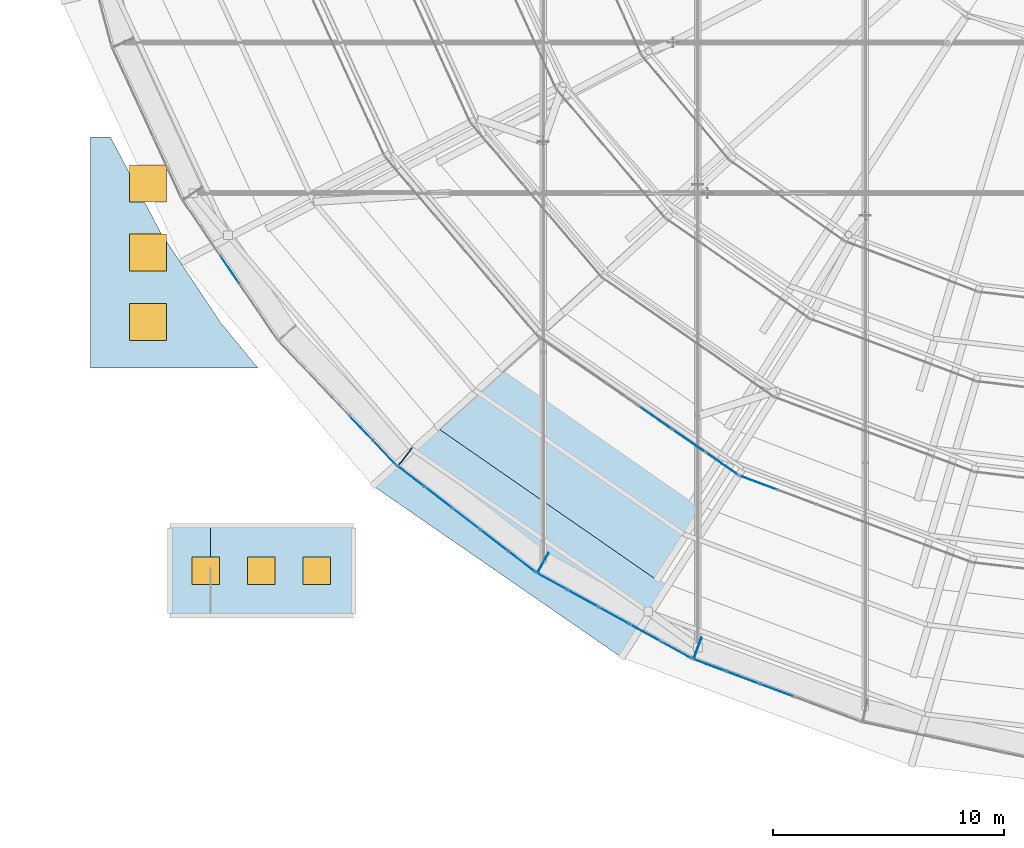
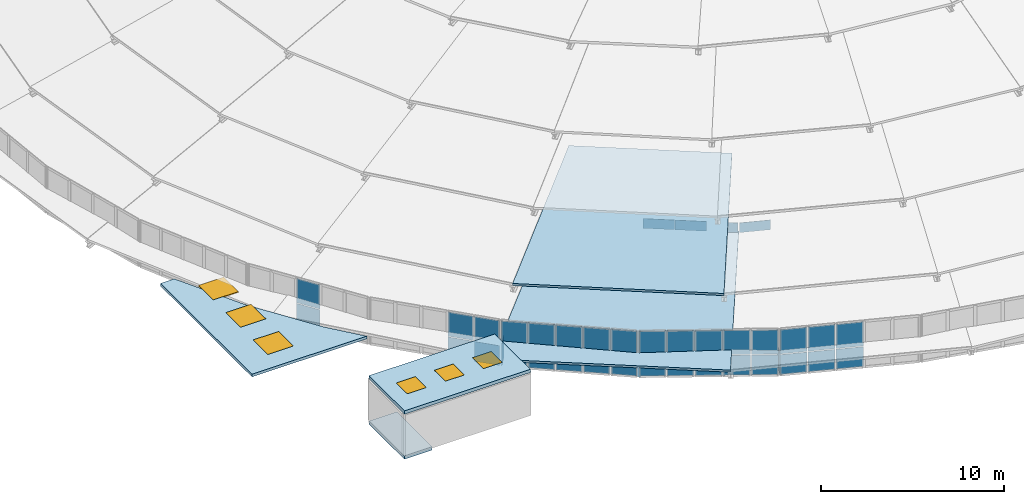
"""IFC4 building model written with IfcOpenShell, lengths in metres."""

from ifc_helpers import new_model, si_unit, direction, frame, origin, origin_2d, place, context, subcontext, project, spatial, polyline, rectangle, outline, extrude, material, layer, layer_set, type_object, element, fill, aggregate, save


model = new_model("IFC4")

# Units and contexts
model_context = context("Model", 3, precision=1e-05, world=origin(), true_north=direction((0.0, 1.0)))
body_context = subcontext(model_context, "Body", "Model", "MODEL_VIEW")
ifc_project = project(units=[si_unit("LENGTHUNIT", "METRE"), si_unit("AREAUNIT", "SQUARE_METRE"), si_unit("VOLUMEUNIT", "CUBIC_METRE"), si_unit("PLANEANGLEUNIT", "RADIAN"), si_unit("MASSUNIT", "GRAM", prefix="KILO")], contexts=[model_context])

# Site, building, storey
site_placement = place(None, origin())
site = spatial("IfcSite", under=ifc_project, at=site_placement, CompositionType="ELEMENT")
building_placement = place(site_placement, origin())
building = spatial("IfcBuilding", under=site, at=building_placement, Name="Glasvene Arena", CompositionType="ELEMENT")
storey_1_placement = place(building_placement, frame((0.0, 0.0, 28.800048828125)))
storey_1 = spatial("IfcBuildingStorey", under=building, at=storey_1_placement, Name="RF", CompositionType="ELEMENT", Elevation=28.800048828125)

# Curtain wall, plates
ifc_material_1 = material(Name="Low-emissivity laminated double glazing", Category="glass")
curtain_wall_type_1 = type_object("IfcCurtainWallType", Name="CW-PET1-1054x75", PredefinedType="USERDEFINED", material=ifc_material_1)
curtain_wall_1_placement = place(storey_1_placement, frame((62.40771484375, 46.342041015625, 0.0)))
curtain_wall_1 = element("IfcCurtainWall", 1, at=curtain_wall_1_placement, inside=storey_1, type_object=curtain_wall_type_1, Name="Petal ring 1-2 clerestory curtain wall 16", ObjectType="CURTAIN WALL", PredefinedType="USERDEFINED")
ifc_layer_1 = layer(ifc_material_1, 0.028076171875)
ifc_layer_set_1 = layer_set([ifc_layer_1], Name="Low-emissivity laminated double glazing")
plate_type_1 = type_object("IfcPlateType", Name="CW-GLZ-28", PredefinedType="CURTAIN_PANEL", material=ifc_layer_set_1)
plate_1_placement = place(storey_1_placement, frame((67.463623046875, 42.84716796875, 2.6298828125), z_axis=(0.0, 0.0, 1.0), x_axis=(0.822600954666, -0.568619089886, 0.0)))
plate_1 = element("IfcPlate", 2, at=plate_1_placement, type_object=plate_type_1, Name="CW-084 panel 4.1", PredefinedType="CURTAIN_PANEL", context=body_context, shape_type="SweptSolid", body=[
    extrude(rectangle(XDim=1.7060546875, YDim=0.028076171875, at=origin_2d()), origin(), (0.0, 0.0, 1.0), 0.64990234375),
])
plate_2_placement = place(storey_1_placement, frame((68.908203125, 41.8486328125, 2.6298828125), z_axis=(0.0, 0.0, 1.0), x_axis=(0.822600954666, -0.568619089886, 0.0)))
plate_2 = element("IfcPlate", 3, at=plate_2_placement, type_object=plate_type_1, Name="CW-084 panel 5.1", PredefinedType="CURTAIN_PANEL", context=body_context, shape_type="SweptSolid", body=[
    extrude(rectangle(XDim=1.7060546875, YDim=0.028076171875, at=origin_2d()), origin(), (0.0, 0.0, 1.0), 0.64990234375),
])
plate_3_placement = place(storey_1_placement, frame((70.342529296875, 40.857177734375, 2.6298828125), z_axis=(0.0, 0.0, 1.0), x_axis=(0.822600954666, -0.568619089886, 0.0)))
plate_3 = element("IfcPlate", 4, at=plate_3_placement, type_object=plate_type_1, Name="CW-084 panel 6.1", PredefinedType="CURTAIN_PANEL", context=body_context, shape_type="SweptSolid", body=[
    extrude(rectangle(XDim=1.68115234375, YDim=0.028076171875, at=origin_2d()), origin(), (0.0, 0.0, 1.0), 0.64990234375),
])
aggregate(curtain_wall_1, [plate_1, plate_2, plate_3])

# Curtain wall, plate
curtain_wall_type_2 = type_object("IfcCurtainWallType", Name="CW-PET1-1077x75", PredefinedType="USERDEFINED", material=ifc_material_1)
curtain_wall_2_placement = place(storey_1_placement, frame((71.074951171875, 40.350830078125, 0.0)))
curtain_wall_2 = element("IfcCurtainWall", 5, at=curtain_wall_2_placement, inside=storey_1, type_object=curtain_wall_type_2, Name="Petal ring 1-2 clerestory curtain wall 17", ObjectType="CURTAIN WALL", PredefinedType="USERDEFINED")
plate_4_placement = place(storey_1_placement, frame((71.927734375, 40.032470703125, 2.6298828125), z_axis=(0.0, 0.0, 1.0), x_axis=(0.936902411354, -0.349591006176, 0.0)))
plate_4 = element("IfcPlate", 6, at=plate_4_placement, type_object=plate_type_1, Name="CW-085 panel 1.1", PredefinedType="CURTAIN_PANEL", context=body_context, shape_type="SweptSolid", body=[
    extrude(rectangle(XDim=1.720458984375, YDim=0.028076171875, at=origin_2d()), origin(), (0.0, 0.0, 1.0), 0.64990234375),
])
aggregate(curtain_wall_2, [plate_4])

# Curtain wall, plates
curtain_wall_type_3 = type_object("IfcCurtainWallType", Name="CW-DRUM-737x310", PredefinedType="USERDEFINED", material=ifc_material_1)
curtain_wall_3_placement = place(storey_1_placement, frame((46.959716796875, 52.32080078125, 0.0)))
curtain_wall_3 = element("IfcCurtainWall", 7, at=curtain_wall_3_placement, inside=storey_1, type_object=curtain_wall_type_3, Name="Crown compression-ring fascia curtain wall 24", ObjectType="CURTAIN WALL", PredefinedType="USERDEFINED")
ifc_material_2 = material(Name="Insulated shadow-box spandrel panel")
ifc_layer_2 = layer(ifc_material_2, 0.02392578125)
ifc_layer_set_2 = layer_set([ifc_layer_2], Name="Insulated shadow-box spandrel panel")
plate_type_2 = type_object("IfcPlateType", Name="CW-SPN-24", PredefinedType="CURTAIN_PANEL", material=ifc_layer_set_2)
plate_5_placement = place(storey_1_placement, frame((49.031982421875, 49.2734375, -1.330078125), z_axis=(0.0, 0.0, 1.0), x_axis=(0.56235418457, -0.826896469394, 0.0)))
plate_5 = element("IfcPlate", 8, at=plate_5_placement, type_object=plate_type_2, Name="CW-074 panel 3.1", PredefinedType="CURTAIN_PANEL", context=body_context, shape_type="SweptSolid", body=[
    extrude(rectangle(XDim=1.424072265625, YDim=0.02392578125, at=origin_2d()), origin(), (0.0, 0.0, 1.0), 1.324951171875),
])
plate_6_placement = place(storey_1_placement, frame((49.031982421875, 49.2734375, 0.044921875), z_axis=(0.0, 0.0, 1.0), x_axis=(0.56235418457, -0.826896469394, 0.0)))
plate_6 = element("IfcPlate", 9, at=plate_6_placement, type_object=plate_type_2, Name="CW-074 panel 3.2", PredefinedType="CURTAIN_PANEL", context=body_context, shape_type="SweptSolid", body=[
    extrude(rectangle(XDim=1.424072265625, YDim=0.02392578125, at=origin_2d()), origin(), (0.0, 0.0, 1.0), 1.625),
])
aggregate(curtain_wall_3, [plate_5, plate_6])

curtain_wall_type_4 = type_object("IfcCurtainWallType", Name="CW-DRUM-749x310", PredefinedType="USERDEFINED", material=ifc_material_1)
curtain_wall_4_placement = place(storey_1_placement, frame((51.104248046875, 46.226318359375, 0.0)))
curtain_wall_4 = element("IfcCurtainWall", 10, at=curtain_wall_4_placement, inside=storey_1, type_object=curtain_wall_type_4, Name="Crown compression-ring fascia curtain wall 25", ObjectType="CURTAIN WALL", PredefinedType="USERDEFINED")
plate_7_placement = place(storey_1_placement, frame((54.710205078125, 42.421875, -1.330078125), z_axis=(0.0, 0.0, 1.0), x_axis=(0.687924637344, -0.725782125252, 0.0)))
plate_7 = element("IfcPlate", 11, at=plate_7_placement, type_object=plate_type_2, Name="CW-075 panel 4.1", PredefinedType="CURTAIN_PANEL", context=body_context, shape_type="SweptSolid", body=[
    extrude(rectangle(XDim=1.44775390625, YDim=0.02392578125, at=origin_2d()), origin(), (0.0, 0.0, 1.0), 1.324951171875),
])
plate_8_placement = place(storey_1_placement, frame((54.710205078125, 42.421875, 0.044921875), z_axis=(0.0, 0.0, 1.0), x_axis=(0.687924637344, -0.725782125252, 0.0)))
plate_8 = element("IfcPlate", 12, at=plate_8_placement, type_object=plate_type_2, Name="CW-075 panel 4.2", PredefinedType="CURTAIN_PANEL", context=body_context, shape_type="SweptSolid", body=[
    extrude(rectangle(XDim=1.44775390625, YDim=0.02392578125, at=origin_2d()), origin(), (0.0, 0.0, 1.0), 1.625),
])
plate_9_placement = place(storey_1_placement, frame((55.73193359375, 41.343994140625, -1.330078125), z_axis=(0.0, 0.0, 1.0), x_axis=(0.687924637344, -0.725782125252, 0.0)))
plate_9 = element("IfcPlate", 13, at=plate_9_placement, type_object=plate_type_2, Name="CW-075 panel 5.1", PredefinedType="CURTAIN_PANEL", context=body_context, shape_type="SweptSolid", body=[
    extrude(rectangle(XDim=1.422607421875, YDim=0.02392578125, at=origin_2d()), origin(), (0.0, 0.0, 1.0), 1.324951171875),
])
plate_10_placement = place(storey_1_placement, frame((55.73193359375, 41.343994140625, 0.044921875), z_axis=(0.0, 0.0, 1.0), x_axis=(0.687924637344, -0.725782125252, 0.0)))
plate_10 = element("IfcPlate", 14, at=plate_10_placement, type_object=plate_type_2, Name="CW-075 panel 5.2", PredefinedType="CURTAIN_PANEL", context=body_context, shape_type="SweptSolid", body=[
    extrude(rectangle(XDim=1.422607421875, YDim=0.02392578125, at=origin_2d()), origin(), (0.0, 0.0, 1.0), 1.625),
])
aggregate(curtain_wall_4, [plate_7, plate_8, plate_9, plate_10])

curtain_wall_type_5 = type_object("IfcCurtainWallType", Name="CW-DRUM-761x310", PredefinedType="USERDEFINED", material=ifc_material_1)
curtain_wall_5_placement = place(storey_1_placement, frame((56.255859375, 40.791259765625, 0.0)))
curtain_wall_5 = element("IfcCurtainWall", 15, at=curtain_wall_5_placement, inside=storey_1, type_object=curtain_wall_type_5, Name="Crown compression-ring fascia curtain wall 26", ObjectType="CURTAIN WALL", PredefinedType="USERDEFINED")
plate_11_placement = place(storey_1_placement, frame((56.868896484375, 40.319580078125, -1.330078125), z_axis=(0.0, 0.0, 1.0), x_axis=(0.792482324569, -0.609894880488, 0.0)))
plate_11 = element("IfcPlate", 16, at=plate_11_placement, type_object=plate_type_2, Name="CW-076 panel 1.1", PredefinedType="CURTAIN_PANEL", context=body_context, shape_type="SweptSolid", body=[
    extrude(rectangle(XDim=1.447265625, YDim=0.02392578125, at=origin_2d()), origin(), (0.0, 0.0, 1.0), 1.324951171875),
])
plate_12_placement = place(storey_1_placement, frame((56.868896484375, 40.319580078125, 0.044921875), z_axis=(0.0, 0.0, 1.0), x_axis=(0.792482324569, -0.609894880488, 0.0)))
plate_12 = element("IfcPlate", 17, at=plate_12_placement, type_object=plate_type_2, Name="CW-076 panel 1.2", PredefinedType="CURTAIN_PANEL", context=body_context, shape_type="SweptSolid", body=[
    extrude(rectangle(XDim=1.447265625, YDim=0.02392578125, at=origin_2d()), origin(), (0.0, 0.0, 1.0), 1.625),
])
plate_13_placement = place(storey_1_placement, frame((58.0654296875, 39.398681640625, -1.330078125), z_axis=(0.0, 0.0, 1.0), x_axis=(0.792482324569, -0.609894880488, 0.0)))
plate_13 = element("IfcPlate", 18, at=plate_13_placement, type_object=plate_type_2, Name="CW-076 panel 2.1", PredefinedType="CURTAIN_PANEL", context=body_context, shape_type="SweptSolid", body=[
    extrude(rectangle(XDim=1.47216796875, YDim=0.02392578125, at=origin_2d()), origin(), (0.0, 0.0, 1.0), 1.324951171875),
])
plate_14_placement = place(storey_1_placement, frame((58.0654296875, 39.398681640625, 0.044921875), z_axis=(0.0, 0.0, 1.0), x_axis=(0.792482324569, -0.609894880488, 0.0)))
plate_14 = element("IfcPlate", 19, at=plate_14_placement, type_object=plate_type_2, Name="CW-076 panel 2.2", PredefinedType="CURTAIN_PANEL", context=body_context, shape_type="SweptSolid", body=[
    extrude(rectangle(XDim=1.47216796875, YDim=0.02392578125, at=origin_2d()), origin(), (0.0, 0.0, 1.0), 1.625),
])
plate_15_placement = place(storey_1_placement, frame((59.271728515625, 38.47021484375, -1.330078125), z_axis=(0.0, 0.0, 1.0), x_axis=(0.792482324569, -0.609894880488, 0.0)))
plate_15 = element("IfcPlate", 20, at=plate_15_placement, type_object=plate_type_2, Name="CW-076 panel 3.1", PredefinedType="CURTAIN_PANEL", context=body_context, shape_type="SweptSolid", body=[
    extrude(rectangle(XDim=1.47216796875, YDim=0.02392578125, at=origin_2d()), origin(), (0.0, 0.0, 1.0), 1.324951171875),
])
plate_16_placement = place(storey_1_placement, frame((59.271728515625, 38.47021484375, 0.044921875), z_axis=(0.0, 0.0, 1.0), x_axis=(0.792482324569, -0.609894880488, 0.0)))
plate_16 = element("IfcPlate", 21, at=plate_16_placement, type_object=plate_type_2, Name="CW-076 panel 3.2", PredefinedType="CURTAIN_PANEL", context=body_context, shape_type="SweptSolid", body=[
    extrude(rectangle(XDim=1.47216796875, YDim=0.02392578125, at=origin_2d()), origin(), (0.0, 0.0, 1.0), 1.625),
])
plate_17_placement = place(storey_1_placement, frame((60.47802734375, 37.5419921875, -1.330078125), z_axis=(0.0, 0.0, 1.0), x_axis=(0.792482324569, -0.609894880488, 0.0)))
plate_17 = element("IfcPlate", 22, at=plate_17_placement, type_object=plate_type_2, Name="CW-076 panel 4.1", PredefinedType="CURTAIN_PANEL", context=body_context, shape_type="SweptSolid", body=[
    extrude(rectangle(XDim=1.47216796875, YDim=0.02392578125, at=origin_2d()), origin(), (0.0, 0.0, 1.0), 1.324951171875),
])
plate_18_placement = place(storey_1_placement, frame((60.47802734375, 37.5419921875, 0.044921875), z_axis=(0.0, 0.0, 1.0), x_axis=(0.792482324569, -0.609894880488, 0.0)))
plate_18 = element("IfcPlate", 23, at=plate_18_placement, type_object=plate_type_2, Name="CW-076 panel 4.2", PredefinedType="CURTAIN_PANEL", context=body_context, shape_type="SweptSolid", body=[
    extrude(rectangle(XDim=1.47216796875, YDim=0.02392578125, at=origin_2d()), origin(), (0.0, 0.0, 1.0), 1.625),
])
plate_19_placement = place(storey_1_placement, frame((61.67431640625, 36.62109375, -1.330078125), z_axis=(0.0, 0.0, 1.0), x_axis=(0.792482324569, -0.609894880488, 0.0)))
plate_19 = element("IfcPlate", 24, at=plate_19_placement, type_object=plate_type_2, Name="CW-076 panel 5.1", PredefinedType="CURTAIN_PANEL", context=body_context, shape_type="SweptSolid", body=[
    extrude(rectangle(XDim=1.447265625, YDim=0.02392578125, at=origin_2d()), origin(), (0.0, 0.0, 1.0), 1.324951171875),
])
plate_20_placement = place(storey_1_placement, frame((61.67431640625, 36.62109375, 0.044921875), z_axis=(0.0, 0.0, 1.0), x_axis=(0.792482324569, -0.609894880488, 0.0)))
plate_20 = element("IfcPlate", 25, at=plate_20_placement, type_object=plate_type_2, Name="CW-076 panel 5.2", PredefinedType="CURTAIN_PANEL", context=body_context, shape_type="SweptSolid", body=[
    extrude(rectangle(XDim=1.447265625, YDim=0.02392578125, at=origin_2d()), origin(), (0.0, 0.0, 1.0), 1.625),
])
aggregate(curtain_wall_5, [plate_11, plate_12, plate_13, plate_14, plate_15, plate_16, plate_17, plate_18, plate_19, plate_20])

curtain_wall_type_6 = type_object("IfcCurtainWallType", Name="CW-DRUM-773x310", PredefinedType="USERDEFINED", material=ifc_material_1)
curtain_wall_6_placement = place(storey_1_placement, frame((62.28759765625, 36.1494140625, 0.0)))
curtain_wall_6 = element("IfcCurtainWall", 26, at=curtain_wall_6_placement, inside=storey_1, type_object=curtain_wall_type_6, Name="Crown compression-ring fascia curtain wall 27", ObjectType="CURTAIN WALL", PredefinedType="USERDEFINED")
plate_21_placement = place(storey_1_placement, frame((62.974853515625, 35.769775390625, -1.330078125), z_axis=(0.0, 0.0, 1.0), x_axis=(0.875406591103, -0.483387319086, 0.0)))
plate_21 = element("IfcPlate", 27, at=plate_21_placement, type_object=plate_type_2, Name="CW-077 panel 1.1", PredefinedType="CURTAIN_PANEL", context=body_context, shape_type="SweptSolid", body=[
    extrude(rectangle(XDim=1.47021484375, YDim=0.02392578125, at=origin_2d()), origin(), (0.0, 0.0, 1.0), 1.324951171875),
])
plate_22_placement = place(storey_1_placement, frame((62.974853515625, 35.769775390625, 0.044921875), z_axis=(0.0, 0.0, 1.0), x_axis=(0.875406591103, -0.483387319086, 0.0)))
plate_22 = element("IfcPlate", 28, at=plate_22_placement, type_object=plate_type_2, Name="CW-077 panel 1.2", PredefinedType="CURTAIN_PANEL", context=body_context, shape_type="SweptSolid", body=[
    extrude(rectangle(XDim=1.47021484375, YDim=0.02392578125, at=origin_2d()), origin(), (0.0, 0.0, 1.0), 1.625),
])
plate_23_placement = place(storey_1_placement, frame((64.31640625, 35.02880859375, -1.330078125), z_axis=(0.0, 0.0, 1.0), x_axis=(0.875406591103, -0.483387319086, 0.0)))
plate_23 = element("IfcPlate", 29, at=plate_23_placement, type_object=plate_type_2, Name="CW-077 panel 2.1", PredefinedType="CURTAIN_PANEL", context=body_context, shape_type="SweptSolid", body=[
    extrude(rectangle(XDim=1.4951171875, YDim=0.02392578125, at=origin_2d()), origin(), (0.0, 0.0, 1.0), 1.324951171875),
])
plate_24_placement = place(storey_1_placement, frame((64.31640625, 35.02880859375, 0.044921875), z_axis=(0.0, 0.0, 1.0), x_axis=(0.875406591103, -0.483387319086, 0.0)))
plate_24 = element("IfcPlate", 30, at=plate_24_placement, type_object=plate_type_2, Name="CW-077 panel 2.2", PredefinedType="CURTAIN_PANEL", context=body_context, shape_type="SweptSolid", body=[
    extrude(rectangle(XDim=1.4951171875, YDim=0.02392578125, at=origin_2d()), origin(), (0.0, 0.0, 1.0), 1.625),
])
plate_25_placement = place(storey_1_placement, frame((65.669189453125, 34.281982421875, -1.330078125), z_axis=(0.0, 0.0, 1.0), x_axis=(0.875406591103, -0.483387319086, 0.0)))
plate_25 = element("IfcPlate", 31, at=plate_25_placement, type_object=plate_type_2, Name="CW-077 panel 3.1", PredefinedType="CURTAIN_PANEL", context=body_context, shape_type="SweptSolid", body=[
    extrude(rectangle(XDim=1.4951171875, YDim=0.02392578125, at=origin_2d()), origin(), (0.0, 0.0, 1.0), 1.324951171875),
])
plate_26_placement = place(storey_1_placement, frame((65.669189453125, 34.281982421875, 0.044921875), z_axis=(0.0, 0.0, 1.0), x_axis=(0.875406591103, -0.483387319086, 0.0)))
plate_26 = element("IfcPlate", 32, at=plate_26_placement, type_object=plate_type_2, Name="CW-077 panel 3.2", PredefinedType="CURTAIN_PANEL", context=body_context, shape_type="SweptSolid", body=[
    extrude(rectangle(XDim=1.4951171875, YDim=0.02392578125, at=origin_2d()), origin(), (0.0, 0.0, 1.0), 1.625),
])
plate_27_placement = place(storey_1_placement, frame((67.021728515625, 33.53515625, -1.330078125), z_axis=(0.0, 0.0, 1.0), x_axis=(0.875406591103, -0.483387319086, 0.0)))
plate_27 = element("IfcPlate", 33, at=plate_27_placement, type_object=plate_type_2, Name="CW-077 panel 4.1", PredefinedType="CURTAIN_PANEL", context=body_context, shape_type="SweptSolid", body=[
    extrude(rectangle(XDim=1.4951171875, YDim=0.02392578125, at=origin_2d()), origin(), (0.0, 0.0, 1.0), 1.324951171875),
])
plate_28_placement = place(storey_1_placement, frame((67.021728515625, 33.53515625, 0.044921875), z_axis=(0.0, 0.0, 1.0), x_axis=(0.875406591103, -0.483387319086, 0.0)))
plate_28 = element("IfcPlate", 34, at=plate_28_placement, type_object=plate_type_2, Name="CW-077 panel 4.2", PredefinedType="CURTAIN_PANEL", context=body_context, shape_type="SweptSolid", body=[
    extrude(rectangle(XDim=1.4951171875, YDim=0.02392578125, at=origin_2d()), origin(), (0.0, 0.0, 1.0), 1.625),
])
plate_29_placement = place(storey_1_placement, frame((68.363525390625, 32.794189453125, -1.330078125), z_axis=(0.0, 0.0, 1.0), x_axis=(0.875406591103, -0.483387319086, 0.0)))
plate_29 = element("IfcPlate", 35, at=plate_29_placement, type_object=plate_type_2, Name="CW-077 panel 5.1", PredefinedType="CURTAIN_PANEL", context=body_context, shape_type="SweptSolid", body=[
    extrude(rectangle(XDim=1.47021484375, YDim=0.02392578125, at=origin_2d()), origin(), (0.0, 0.0, 1.0), 1.324951171875),
])
plate_30_placement = place(storey_1_placement, frame((68.363525390625, 32.794189453125, 0.044921875), z_axis=(0.0, 0.0, 1.0), x_axis=(0.875406591103, -0.483387319086, 0.0)))
plate_30 = element("IfcPlate", 36, at=plate_30_placement, type_object=plate_type_2, Name="CW-077 panel 5.2", PredefinedType="CURTAIN_PANEL", context=body_context, shape_type="SweptSolid", body=[
    extrude(rectangle(XDim=1.47021484375, YDim=0.02392578125, at=origin_2d()), origin(), (0.0, 0.0, 1.0), 1.625),
])
aggregate(curtain_wall_6, [plate_21, plate_22, plate_23, plate_24, plate_25, plate_26, plate_27, plate_28, plate_29, plate_30])

curtain_wall_type_7 = type_object("IfcCurtainWallType", Name="CW-DRUM-782x310", PredefinedType="USERDEFINED", material=ifc_material_1)
curtain_wall_7_placement = place(storey_1_placement, frame((69.05078125, 32.414794921875, 0.0)))
curtain_wall_7 = element("IfcCurtainWall", 37, at=curtain_wall_7_placement, inside=storey_1, type_object=curtain_wall_type_7, Name="Crown compression-ring fascia curtain wall 28", ObjectType="CURTAIN WALL", PredefinedType="USERDEFINED")
plate_31_placement = place(storey_1_placement, frame((69.79541015625, 32.13671875, -1.330078125), z_axis=(0.0, 0.0, 1.0), x_axis=(0.936868153311, -0.349682803856, 0.0)))
plate_31 = element("IfcPlate", 38, at=plate_31_placement, type_object=plate_type_2, Name="CW-078 panel 1.1", PredefinedType="CURTAIN_PANEL", context=body_context, shape_type="SweptSolid", body=[
    extrude(rectangle(XDim=1.489501953125, YDim=0.02392578125, at=origin_2d()), origin(), (0.0, 0.0, 1.0), 1.324951171875),
])
plate_32_placement = place(storey_1_placement, frame((69.79541015625, 32.13671875, 0.044921875), z_axis=(0.0, 0.0, 1.0), x_axis=(0.936868153311, -0.349682803856, 0.0)))
plate_32 = element("IfcPlate", 39, at=plate_32_placement, type_object=plate_type_2, Name="CW-078 panel 1.2", PredefinedType="CURTAIN_PANEL", context=body_context, shape_type="SweptSolid", body=[
    extrude(rectangle(XDim=1.489501953125, YDim=0.02392578125, at=origin_2d()), origin(), (0.0, 0.0, 1.0), 1.625),
])
plate_33_placement = place(storey_1_placement, frame((71.249267578125, 31.593994140625, -1.330078125), z_axis=(0.0, 0.0, 1.0), x_axis=(0.936868153311, -0.349682803856, 0.0)))
plate_33 = element("IfcPlate", 40, at=plate_33_placement, type_object=plate_type_2, Name="CW-078 panel 2.1", PredefinedType="CURTAIN_PANEL", context=body_context, shape_type="SweptSolid", body=[
    extrude(rectangle(XDim=1.514404296875, YDim=0.02392578125, at=origin_2d()), origin(), (0.0, 0.0, 1.0), 1.324951171875),
])
plate_34_placement = place(storey_1_placement, frame((71.249267578125, 31.593994140625, 0.044921875), z_axis=(0.0, 0.0, 1.0), x_axis=(0.936868153311, -0.349682803856, 0.0)))
plate_34 = element("IfcPlate", 41, at=plate_34_placement, type_object=plate_type_2, Name="CW-078 panel 2.2", PredefinedType="CURTAIN_PANEL", context=body_context, shape_type="SweptSolid", body=[
    extrude(rectangle(XDim=1.514404296875, YDim=0.02392578125, at=origin_2d()), origin(), (0.0, 0.0, 1.0), 1.625),
])
plate_35_placement = place(storey_1_placement, frame((72.715087890625, 31.047119140625, -1.330078125), z_axis=(0.0, 0.0, 1.0), x_axis=(0.936868153311, -0.349682803856, 0.0)))
plate_35 = element("IfcPlate", 42, at=plate_35_placement, type_object=plate_type_2, Name="CW-078 panel 3.1", PredefinedType="CURTAIN_PANEL", context=body_context, shape_type="SweptSolid", body=[
    extrude(rectangle(XDim=1.514404296875, YDim=0.02392578125, at=origin_2d()), origin(), (0.0, 0.0, 1.0), 1.324951171875),
])
plate_36_placement = place(storey_1_placement, frame((72.715087890625, 31.047119140625, 0.044921875), z_axis=(0.0, 0.0, 1.0), x_axis=(0.936868153311, -0.349682803856, 0.0)))
plate_36 = element("IfcPlate", 43, at=plate_36_placement, type_object=plate_type_2, Name="CW-078 panel 3.2", PredefinedType="CURTAIN_PANEL", context=body_context, shape_type="SweptSolid", body=[
    extrude(rectangle(XDim=1.514404296875, YDim=0.02392578125, at=origin_2d()), origin(), (0.0, 0.0, 1.0), 1.625),
])
aggregate(curtain_wall_7, [plate_31, plate_32, plate_33, plate_34, plate_35, plate_36])

# Plates
ifc_material_3 = material(Name="Steel S355J2", Category="steel")
ifc_layer_3 = layer(ifc_material_3, 0.035888671875)
ifc_layer_set_3 = layer_set([ifc_layer_3], Name="Steel S355J2")
plate_type_3 = type_object("IfcPlateType", Name="PL-CAP-36", PredefinedType="SHEET", material=ifc_layer_set_3)
for number, where, z_axis, x_axis, name in (
    (44, (56.644775390625, 41.18017578125, -1.409912109375), (0.0, 0.0, 1.0), (0.792821793707, -0.609453528518, 0.0), "Ring beam node diaphragm cap plate ND-26"),
    (45, (62.610595703125, 36.59423828125, -1.409912109375), (0.0, 0.0, 1.0), (0.875633171036, -0.482976759048, 0.0), "Ring beam node diaphragm cap plate ND-27"),
    (46, (69.300537109375, 32.90478515625, -1.409912109375), (0.0, 0.0, 1.0), (0.937038411905, -0.349226308593, 0.0), "Ring beam node diaphragm cap plate ND-28"),
):
    element("IfcPlate", number, at=place(storey_1_placement, frame(where, z_axis=z_axis, x_axis=x_axis)), inside=storey_1, type_object=plate_type_3, Name=name, PredefinedType="SHEET", context=body_context, shape_type="SweptSolid", body=[
        extrude(rectangle(XDim=0.035888671875, YDim=0.919921875, at=origin_2d()), origin(), (0.0, 0.0, 1.0), 1.419921875),
    ])

# Slab
ifc_material_4 = material(Name="Concrete C40/50", Category="concrete")
ifc_layer_4 = layer(ifc_material_4, 0.219970703125)
ifc_layer_set_4 = layer_set([ifc_layer_4], Name="Concrete C40/50")
slab_type_1 = type_object("IfcSlabType", Name="SL-LAND-220", PredefinedType="LANDING", material=ifc_layer_set_4)
slab_1_placement = place(storey_1_placement, frame((47.325927734375, 36.22509765625, -0.219970703125)))
element("IfcSlab", 47, at=slab_1_placement, inside=storey_1, type_object=slab_type_1, Name="Roof stair arrival landing slab ST-05", PredefinedType="LANDING", context=body_context, shape_type="SweptSolid", body=[
    extrude(outline(polyline([(-0.8759765625, -1.925048828125), (0.8759765625, -1.925048828125), (0.8759765625, 1.9248046875), (-0.8759765625, 1.9248046875), (-0.8759765625, -1.925048828125)])), origin(), (0.0, 0.0, 1.0), 0.219970703125),
])

# Slab, openings, doors
slab_2_placement = place(storey_1_placement, frame((50.425048828125, 36.22509765625, 2.800048828125)))
slab_2 = element("IfcSlab", 48, at=slab_2_placement, inside=storey_1, type_object=slab_type_1, Name="Roof stair headhouse slab ST-05", PredefinedType="LANDING", context=body_context, shape_type="SweptSolid", body=[
    extrude(outline(polyline([(-3.97509765625, -1.945068359375), (3.974853515625, -1.945068359375), (3.974853515625, 1.94482421875), (-3.97509765625, 1.94482421875), (-3.97509765625, -1.945068359375)]), holes=[polyline([(-2.945068359375, -0.525146484375), (-1.905029296875, -0.525146484375), (-1.905029296875, 0.514892578125), (-2.945068359375, 0.514892578125), (-2.945068359375, -0.525146484375)]), polyline([(-0.545166015625, -0.525146484375), (0.494873046875, -0.525146484375), (0.494873046875, 0.514892578125), (-0.545166015625, 0.514892578125), (-0.545166015625, -0.525146484375)]), polyline([(1.85498046875, -0.525146484375), (2.89501953125, -0.525146484375), (2.89501953125, 0.514892578125), (1.85498046875, 0.514892578125), (1.85498046875, -0.525146484375)])]), origin(), (0.0, 0.0, 1.0), 0.219970703125),
])
opening_1_placement = place(slab_2_placement, frame((-2.425048828125, -0.005126953125, -0.010009765625)))
opening_1 = element("IfcOpeningElement", 49, at=opening_1_placement, cuts=slab_2, Name="Opening RH-120", PredefinedType="OPENING", context=body_context, shape_type="SweptSolid", body=[
    extrude(rectangle(XDim=1.199951171875, YDim=1.199951171875, at=origin_2d()), origin(), (0.0, 0.0, 1.0), 0.239990234375),
])
opening_2_placement = place(slab_2_placement, frame((-0.025146484375, -0.005126953125, -0.010009765625)))
opening_2 = element("IfcOpeningElement", 50, at=opening_2_placement, cuts=slab_2, Name="Opening RH-120", PredefinedType="OPENING", context=body_context, shape_type="SweptSolid", body=[
    extrude(rectangle(XDim=1.199951171875, YDim=1.199951171875, at=origin_2d()), origin(), (0.0, 0.0, 1.0), 0.239990234375),
])
opening_3_placement = place(slab_2_placement, frame((2.375, -0.005126953125, -0.010009765625)))
opening_3 = element("IfcOpeningElement", 51, at=opening_3_placement, cuts=slab_2, Name="Opening RH-120", PredefinedType="OPENING", context=body_context, shape_type="SweptSolid", body=[
    extrude(rectangle(XDim=1.199951171875, YDim=1.199951171875, at=origin_2d()), origin(), (0.0, 0.0, 1.0), 0.239990234375),
])
ifc_material_5 = material(Name="Insulated aluminium roof hatch", Category="aluminium")
door_type = type_object("IfcDoorType", Name="DR-HATCH-1200", OperationType="SINGLE_SWING_LEFT", PredefinedType="TRAPDOOR", material=ifc_material_5)
door_1_placement = place(opening_1_placement, frame((0.0, 0.0, 0.179931640625)))
door_1 = element("IfcDoor", 52, at=door_1_placement, inside=storey_1, type_object=door_type, Name="Roof smoke and maintenance access hatch RH-01", OperationType="SINGLE_SWING_LEFT", OverallHeight=1.199951171875, OverallWidth=1.199951171875, PredefinedType="TRAPDOOR", context=body_context, shape_type="SweptSolid", body=[
    extrude(rectangle(XDim=1.199951171875, YDim=1.199951171875, at=origin_2d()), origin(), (0.0, 0.0, 1.0), 0.050048828125),
])
fill(opening_1, door_1)
door_2_placement = place(opening_2_placement, frame((0.0, 0.0, 0.179931640625)))
door_2 = element("IfcDoor", 53, at=door_2_placement, inside=storey_1, type_object=door_type, Name="Roof smoke and maintenance access hatch RH-02", OperationType="SINGLE_SWING_LEFT", OverallHeight=1.199951171875, OverallWidth=1.199951171875, PredefinedType="TRAPDOOR", context=body_context, shape_type="SweptSolid", body=[
    extrude(rectangle(XDim=1.199951171875, YDim=1.199951171875, at=origin_2d()), origin(), (0.0, 0.0, 1.0), 0.050048828125),
])
fill(opening_2, door_2)
door_3_placement = place(opening_3_placement, frame((0.0, 0.0, 0.179931640625)))
door_3 = element("IfcDoor", 54, at=door_3_placement, inside=storey_1, type_object=door_type, Name="Roof smoke and maintenance access hatch RH-03", OperationType="SINGLE_SWING_LEFT", OverallHeight=1.199951171875, OverallWidth=1.199951171875, PredefinedType="TRAPDOOR", context=body_context, shape_type="SweptSolid", body=[
    extrude(rectangle(XDim=1.199951171875, YDim=1.199951171875, at=origin_2d()), origin(), (0.0, 0.0, 1.0), 0.050048828125),
])
fill(opening_3, door_3)

# Roof, slab
ifc_material_6 = material(Name="Smooth matte white insulated roof panel")
ifc_layer_5 = layer(ifc_material_6, 0.179931640625)
ifc_layer_set_5 = layer_set([ifc_layer_5], Name="Smooth matte white insulated roof panel")
roof_type = type_object("IfcRoofType", Name="RF-PETAL-ASSY", PredefinedType="PAVILION_ROOF", material=ifc_layer_set_5)
roof_1_placement = place(storey_1_placement, frame((92.0, 73.0, 0.0)))
roof_1 = element("IfcRoof", 55, at=roof_1_placement, inside=storey_1, type_object=roof_type, Name="Shifted white elliptical petal roof ring 1", PredefinedType="PAVILION_ROOF")
ifc_material_7 = material(Name="Precast concrete C50/60", Category="concrete")
ifc_layer_6 = layer(ifc_material_7, 0.179931640625)
ifc_layer_set_6 = layer_set([ifc_layer_6], Name="Precast concrete C50/60")
slab_type_2 = type_object("IfcSlabType", Name="SL-PETAL-180", PredefinedType="ROOF", material=ifc_layer_set_6)
slab_3_placement = place(storey_1_placement, frame((55.23046875, 39.907470703125, 0.0), z_axis=(-0.141586340681, -0.205016773168, 0.968463438057), x_axis=(0.822846991231, -0.568262992831, 4.6396e-07)))
slab_3 = element("IfcSlab", 56, at=slab_3_placement, type_object=slab_type_2, Name="White petal roof slab ring 1 bay 16", PredefinedType="ROOF", context=body_context, shape_type="SweptSolid", body=[
    extrude(outline(polyline([(0.0, 0.0), (13.088132395215418, -8.881784197001252e-16), (12.757508046506503, 10.033862175654544), (2.312071896359791, 10.033905998163354), (0.0, 0.0)])), origin(), (0.0, 0.0, -1.0), 0.179931640625),
])
aggregate(roof_1, [slab_3])

roof_2_placement = place(storey_1_placement, frame((90.550048828125, 71.85009765625, 2.550048828125)))
roof_2 = element("IfcRoof", 57, at=roof_2_placement, inside=storey_1, type_object=roof_type, Name="Shifted white elliptical petal roof ring 2", PredefinedType="PAVILION_ROOF")
slab_4_placement = place(storey_1_placement, frame((57.98779296875, 42.434326171875, 2.550048828125), z_axis=(-0.144249741913, -0.208092518027, 0.967413828669), x_axis=(0.821850356404, -0.569703424316, 7.04671e-07)))
slab_4 = element("IfcSlab", 58, at=slab_4_placement, type_object=slab_type_2, Name="White petal roof slab ring 2 bay 16", PredefinedType="ROOF", context=body_context, shape_type="SweptSolid", body=[
    extrude(outline(polyline([(0.0, 0.0), (11.604433923251106, 8.881784197001252e-16), (11.2392645642977, 10.070268220159331), (2.280721770495192, 10.070325448058338), (0.0, 0.0)])), origin(), (0.0, 0.0, -1.0), 0.179931640625),
])
aggregate(roof_2, [slab_4])

# Slab, openings
slab_5_placement = place(storey_1_placement, frame((45.558837890625, 50.4462890625, 0.0)))
slab_5 = element("IfcSlab", 59, at=slab_5_placement, inside=storey_1, type_object=slab_type_2, Name="Core C3 South-West roof skylight deck", PredefinedType="ROOF", context=body_context, shape_type="SweptSolid", body=[
    extrude(outline(polyline([(-0.77880859375, 2.822509765625), (-0.77880859375, 1.833740234375), (-0.25927734375, 1.833740234375), (0.47509765625, 0.4365234375), (0.582763671875, 0.273681640625), (-0.77880859375, 0.273681640625), (-0.77880859375, -1.166259765625), (0.6611328125, -1.166259765625), (0.6611328125, 0.15576171875), (3.10498046875, -3.513427734375), (4.69677734375, -5.4462890625), (-2.558837890625, -5.4462890625), (-2.558837890625, 4.5537109375), (-1.688720703125, 4.5537109375), (-0.77880859375, 2.822509765625)]), holes=[polyline([(-0.77880859375, -4.166259765625), (0.6611328125, -4.166259765625), (0.6611328125, -2.726318359375), (-0.77880859375, -2.726318359375), (-0.77880859375, -4.166259765625)])]), origin(), (0.0, 0.0, 1.0), 0.179931640625),
])
opening_4_placement = place(slab_5_placement, frame((-0.058837890625, -3.4462890625, -0.010009765625)))
opening_4 = element("IfcOpeningElement", 60, at=opening_4_placement, cuts=slab_5, Name="Opening SK-05", PredefinedType="OPENING", context=body_context, shape_type="SweptSolid", body=[
    extrude(rectangle(XDim=1.60009765625, YDim=1.60009765625, at=origin_2d()), origin(), (0.0, 0.0, 1.0), 0.199951171875),
])
opening_5_placement = place(slab_5_placement, frame((-0.058837890625, -0.4462890625, -0.010009765625)))
opening_5 = element("IfcOpeningElement", 61, at=opening_5_placement, cuts=slab_5, Name="Opening SK-05", PredefinedType="OPENING", context=body_context, shape_type="SweptSolid", body=[
    extrude(rectangle(XDim=1.60009765625, YDim=1.60009765625, at=origin_2d()), origin(), (0.0, 0.0, 1.0), 0.199951171875),
])
opening_6_placement = place(slab_5_placement, frame((-0.058837890625, 2.5537109375, -0.010009765625)))
opening_6 = element("IfcOpeningElement", 62, at=opening_6_placement, cuts=slab_5, Name="Opening SK-05", PredefinedType="OPENING", context=body_context, shape_type="SweptSolid", body=[
    extrude(rectangle(XDim=1.60009765625, YDim=1.60009765625, at=origin_2d()), origin(), (0.0, 0.0, 1.0), 0.199951171875),
])

# Storey
storey_2_placement = place(building_placement, frame((0.0, 0.0, 24.0)))
storey_2 = spatial("IfcBuildingStorey", under=building, at=storey_2_placement, Name="L05", CompositionType="ELEMENT", Elevation=24.0)

# Window
window_type = type_object("IfcWindowType", Name="SK-CROWN-160x160", PartitioningType="SINGLE_PANEL", PredefinedType="SKYLIGHT", material=ifc_material_1)
window_1_placement = place(opening_4_placement, frame((0.0, 0.0, 0.139892578125)))
window_1 = element("IfcWindow", 63, at=window_1_placement, inside=storey_2, type_object=window_type, Name="Crown perimeter skylight SK-L01", OverallHeight=1.60009765625, OverallWidth=1.60009765625, PartitioningType="SINGLE_PANEL", PredefinedType="SKYLIGHT", context=body_context, shape_type="SweptSolid", body=[
    extrude(rectangle(XDim=1.60009765625, YDim=1.60009765625, at=origin_2d()), origin(), (0.0, 0.0, 1.0), 0.050048828125),
])

fill(opening_4, window_1)

window_2_placement = place(opening_5_placement, frame((0.0, 0.0, 0.139892578125)))
window_2 = element("IfcWindow", 64, at=window_2_placement, inside=storey_2, type_object=window_type, Name="Crown perimeter skylight SK-L02", OverallHeight=1.60009765625, OverallWidth=1.60009765625, PartitioningType="SINGLE_PANEL", PredefinedType="SKYLIGHT", context=body_context, shape_type="SweptSolid", body=[
    extrude(rectangle(XDim=1.60009765625, YDim=1.60009765625, at=origin_2d()), origin(), (0.0, 0.0, 1.0), 0.050048828125),
])

fill(opening_5, window_2)

window_3_placement = place(opening_6_placement, frame((0.0, 0.0, 0.139892578125)))
window_3 = element("IfcWindow", 65, at=window_3_placement, inside=storey_2, type_object=window_type, Name="Crown perimeter skylight SK-L03", OverallHeight=1.60009765625, OverallWidth=1.60009765625, PartitioningType="SINGLE_PANEL", PredefinedType="SKYLIGHT", context=body_context, shape_type="SweptSolid", body=[
    extrude(rectangle(XDim=1.60009765625, YDim=1.60009765625, at=origin_2d()), origin(), (0.0, 0.0, 1.0), 0.050048828125),
])

fill(opening_6, window_3)

save(model, "model.ifc")
